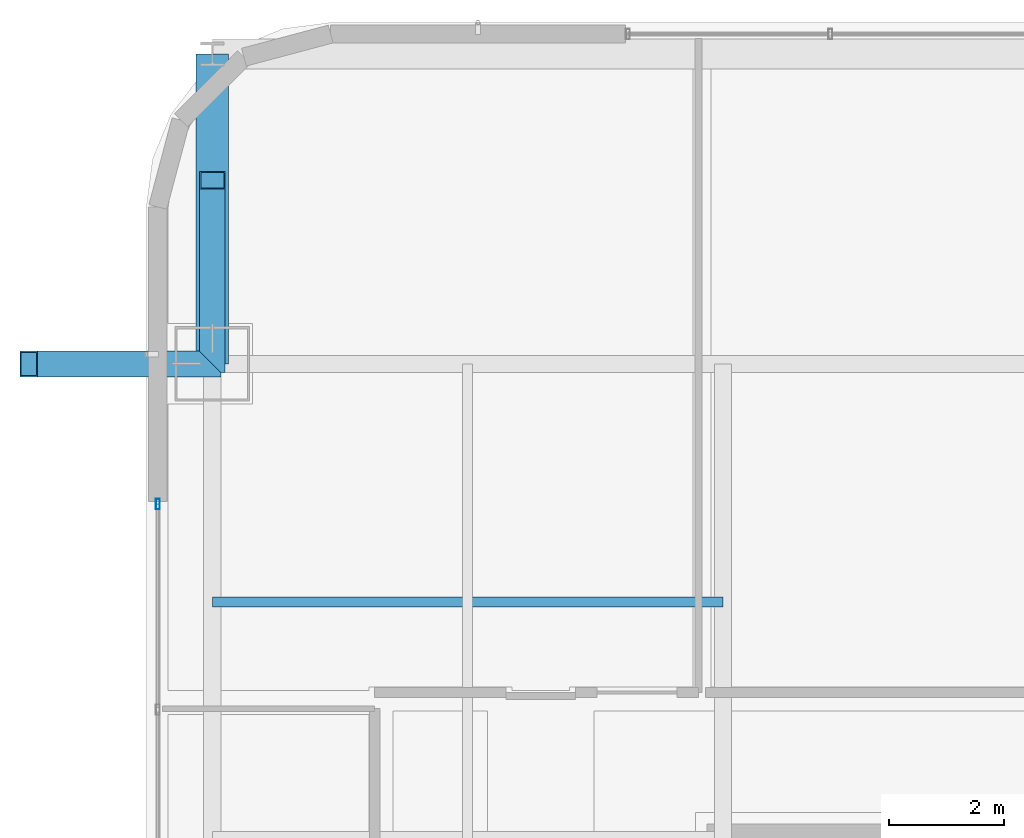
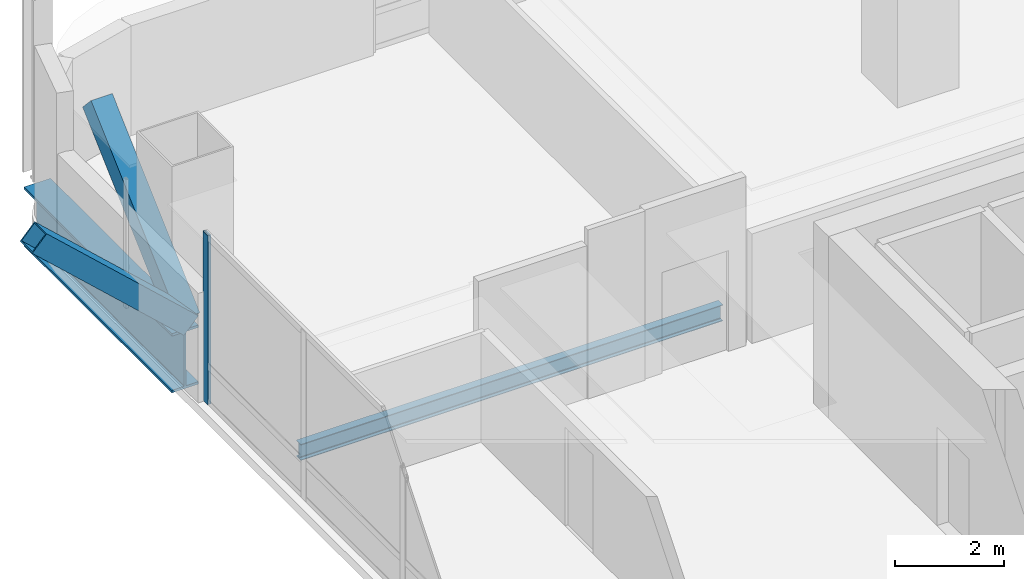
# One storey, part 23 of 51: 3 members, 2 beams, 1 element without a shape of its own.
"""IFC4 building model written with IfcOpenShell, lengths in metres."""

from ifc_helpers import new_model, si_unit, direction, frame, origin, origin_2d, place, context, subcontext, project, spatial, hollow_rectangle, i_section, extrude, material, material_profile, profile_set, type_object, element, aggregate, save


model = new_model("IFC4")

# Units and contexts
model_context = context("Model", 3, precision=1e-05, world=origin(), true_north=direction((0.0, 1.0)))
body_context = subcontext(model_context, "Body", "Model", "MODEL_VIEW")
ifc_project = project(units=[si_unit("LENGTHUNIT", "METRE"), si_unit("AREAUNIT", "SQUARE_METRE"), si_unit("VOLUMEUNIT", "CUBIC_METRE"), si_unit("PLANEANGLEUNIT", "RADIAN"), si_unit("MASSUNIT", "GRAM", prefix="KILO")], contexts=[model_context])

# Site, building, storey
site_placement = place(None, origin())
site = spatial("IfcSite", under=ifc_project, at=site_placement, CompositionType="ELEMENT")
building_placement = place(site_placement, origin())
building = spatial("IfcBuilding", under=site, at=building_placement, Name="Punatoya Terracotta Tower", CompositionType="ELEMENT")
storey_placement = place(building_placement, frame((0.0, 0.0, 279.75)))
storey = spatial("IfcBuildingStorey", under=building, at=storey_placement, Name="L66", CompositionType="ELEMENT", Elevation=279.75)

# Beams
ifc_material_1 = material(Name="Steel S355", Category="steel")
ifc_material_profile_1 = material_profile(ifc_material_1, i_section(OverallWidth=0.169921875, OverallDepth=0.360107421875, WebThickness=0.008056640625, FlangeThickness=0.0126953125, FilletRadius=0.01806640625, at=origin_2d()))
ifc_profile_set_1 = profile_set([ifc_material_profile_1], Name="Steel S355")
beam_type_1 = type_object("IfcBeamType", Name="BM-SEC-360", PredefinedType="JOIST", material=ifc_profile_set_1)
beam_1_placement = place(storey_placement, frame((-19.10009765625, 13.35009765625, -0.3798828125), z_axis=(1.0, 0.0, 0.0), x_axis=(0.0, 1.0, 0.0)))
element("IfcBeam", 1, at=beam_1_placement, inside=storey, type_object=beam_type_1, Name="BM-L66-SJN-1", PredefinedType="JOIST", context=body_context, shape_type="SweptSolid", body=[
    extrude(i_section(OverallWidth=0.169921875, OverallDepth=0.360107421875, WebThickness=0.008056640625, FlangeThickness=0.0126953125, FilletRadius=0.01806640625, at=origin_2d()), origin(), (0.0, 0.0, 1.0), 8.900146484375),
])
ifc_material_2 = material(Name="Steel S460", Category="steel")
ifc_material_profile_2 = material_profile(ifc_material_2, i_section(OverallWidth=0.56005859375, OverallDepth=1.320068359375, WebThickness=0.035888671875, FlangeThickness=0.054931640625, FilletRadius=0.01806640625, at=origin_2d()))
ifc_profile_set_2 = profile_set([ifc_material_profile_2], Name="Steel S460")
beam_type_2 = type_object("IfcBeamType", Name="BM-TG-BLK", PredefinedType="BEAM", material=ifc_profile_set_2)
beam_2_placement = place(storey_placement, frame((-19.10009765625, 17.5, -0.860107421875), z_axis=(0.0, 1.0, 0.0), x_axis=(-1.0, 0.0, 0.0)))
element("IfcBeam", 2, at=beam_2_placement, inside=storey, type_object=beam_type_2, Name="BM-L66-CANT-N1", PredefinedType="BEAM", context=body_context, shape_type="SweptSolid", body=[
    extrude(i_section(OverallWidth=0.56005859375, OverallDepth=1.320068359375, WebThickness=0.035888671875, FlangeThickness=0.054931640625, FilletRadius=0.01806640625, at=origin_2d()), origin(), (0.0, 0.0, 1.0), 5.39990234375),
])

# Curtain wall, member
ifc_material_3 = material(Name="Aluminium 6063-T6 + Double Low-E Glass", Category="aluminium")
curtain_wall_type = type_object("IfcCurtainWallType", Name="CW-M3", PredefinedType="NOTDEFINED", material=ifc_material_3)
curtain_wall_placement = place(storey_placement, origin())
curtain_wall = element("IfcCurtainWall", 3, at=curtain_wall_placement, inside=storey, type_object=curtain_wall_type, Name="L66 Curtain Wall CW-L66-W13-1", PredefinedType="NOTDEFINED")
ifc_material_4 = material(Name="Aluminium 6063-T6", Category="aluminium")
ifc_material_profile_3 = material_profile(ifc_material_4, hollow_rectangle(XDim=0.070068359375, YDim=0.179931640625, WallThickness=0.00390625, at=origin_2d()))
ifc_profile_set_3 = profile_set([ifc_material_profile_3], Name="Aluminium 6063-T6")
member_type_1 = type_object("IfcMemberType", Name="CW-MUL-M3", PredefinedType="MULLION", material=ifc_profile_set_3)
member_placement = place(storey_placement, frame((-20.050048828125, 15.054931640625, 0.0), z_axis=(0.0, 0.0, 1.0), x_axis=(1.0, 0.0, 0.0)))
member = element("IfcMember", 4, at=member_placement, type_object=member_type_1, Name="CW-L66-W13-1 Mullion 00", PredefinedType="MULLION", context=body_context, shape_type="SweptSolid", body=[
    extrude(hollow_rectangle(XDim=0.070068359375, YDim=0.179931640625, WallThickness=0.00390625, at=origin_2d()), origin(), (0.0, 0.0, 1.0), 3.77001953125),
])
aggregate(curtain_wall, [member])

# Members
ifc_material_profile_4 = material_profile(ifc_material_2, hollow_rectangle(XDim=0.449951171875, YDim=0.449951171875, WallThickness=0.02490234375, at=origin_2d()))
ifc_profile_set_4 = profile_set([ifc_material_profile_4], Name="Steel S460")
member_type_2 = type_object("IfcMemberType", Name="MEM-STR-450", PredefinedType="STRUT", material=ifc_profile_set_4)
for number, where, z_axis, x_axis, name in (
    (5, (-19.10009765625, 17.5, 0.02001953125), (-0.735244168043, 0.0, 0.677802340922), (0.0, -1.0, 0.0), "L67 Cantilever Raking Knee-Strut W2"),
    (6, (-19.10009765625, 17.5, 0.02001953125), (0.0, 0.735244168043, 0.677802340922), (-1.0, 0.0, 0.0), "L67 Cantilever Raking Knee-Strut N1"),
):
    element("IfcMember", number, at=place(storey_placement, frame(where, z_axis=z_axis, x_axis=x_axis)), inside=storey, type_object=member_type_2, Name=name, PredefinedType="STRUT", context=body_context, shape_type="SweptSolid", body=[
        extrude(hollow_rectangle(XDim=0.449951171875, YDim=0.449951171875, WallThickness=0.02490234375, at=origin_2d()), origin(), (0.0, 0.0, 1.0), 4.352294921875),
    ])

save(model, "model.ifc")
